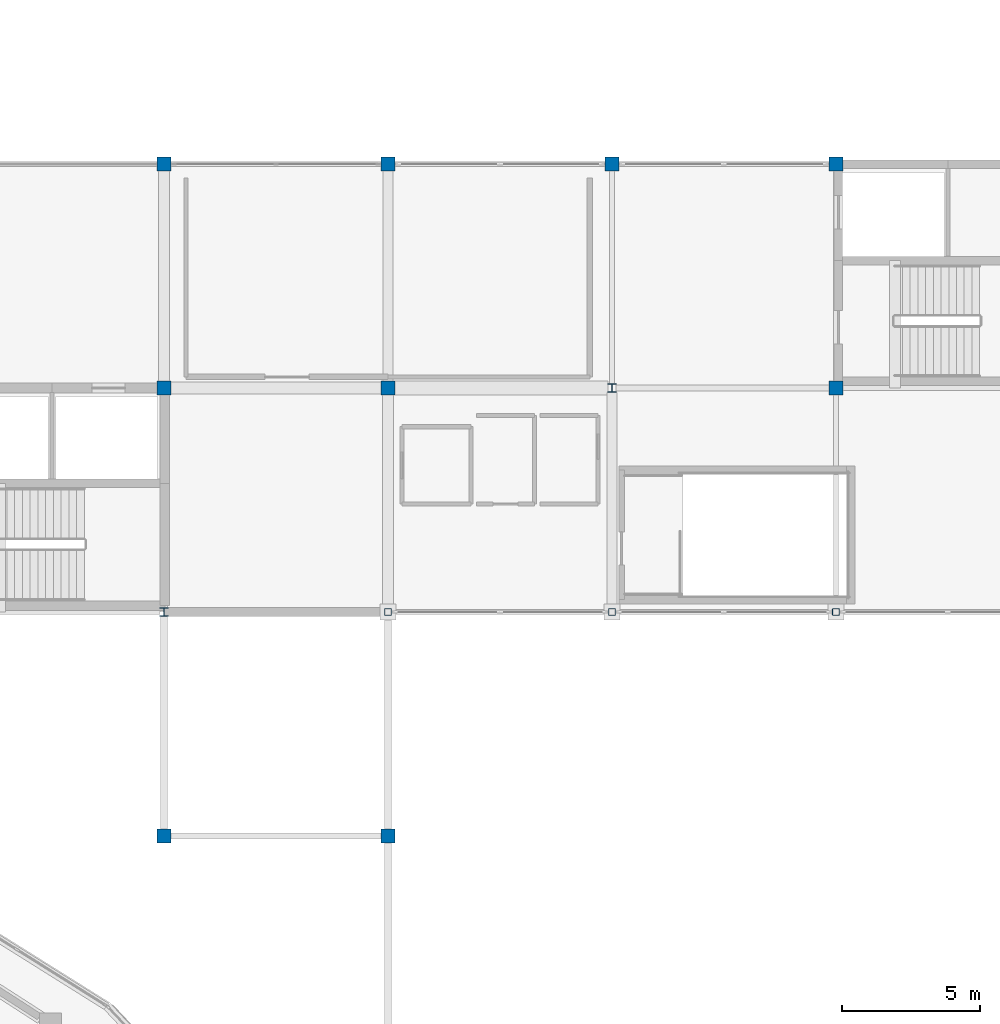
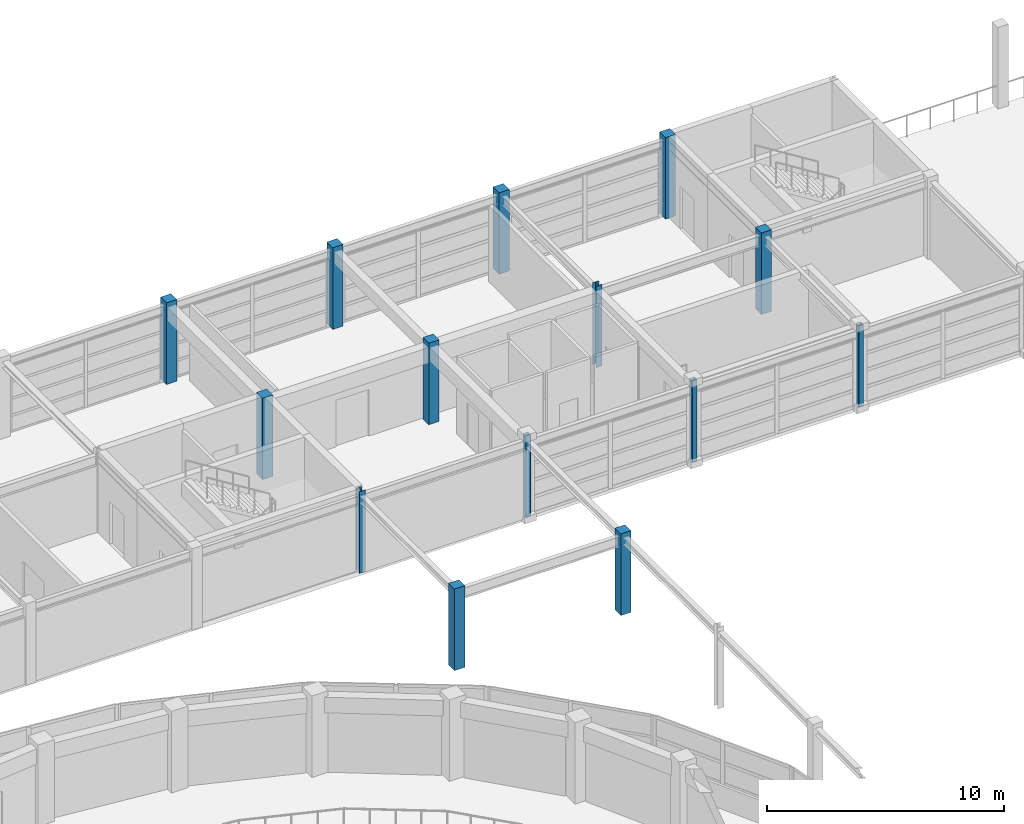
# One storey, part 6 of 54: 14 columns.
"""IFC4 building model written with IfcOpenShell, lengths in metres."""

import ifcopenshell
import ifcopenshell.guid

model = None  # the IFC model being written
_history = None  # IfcOwnerHistory: only IFC2X3 demands one
_inside = {}  # id of a spatial element -> (the spatial element, [elements in it])
_under = {}  # id of a project, library or spatial element -> (it, [spatial elements below it])
_declared = {}  # id of a project -> (the project, [libraries it declares])
_typed = {}  # id of a type object -> (the type object, [elements of that type])
_made_of = {}  # id of a material, layer set ... -> (it, [elements and type objects made of it])


def new_model(schema):
    """Start an empty IFC model of exactly this schema.

    Asked for "IFC4X3", IfcOpenShell would pick the latest addendum, in which some entities
    have other attributes; the version numbers below select the first issue.
    IFC2X3 requires an IfcOwnerHistory on every rooted entity: one is made here for all.
    """
    global model, _history
    if schema == "IFC4X3":
        model = ifcopenshell.file(schema_version=(4, 3, 0, 0))
    else:
        model = ifcopenshell.file(schema=schema)
    _inside.clear()
    _under.clear()
    _declared.clear()
    _typed.clear()
    _made_of.clear()
    _history = None
    if model.schema == "IFC2X3":
        org = make("IfcOrganization", Name="unknown")
        user = make(
            "IfcPersonAndOrganization",
            ThePerson=make("IfcPerson", FamilyName="unknown"),
            TheOrganization=org,
        )
        app = make(
            "IfcApplication",
            ApplicationDeveloper=org,
            Version="unknown",
            ApplicationFullName="unknown",
            ApplicationIdentifier="unknown",
        )
        _history = make(
            "IfcOwnerHistory",
            OwningUser=user,
            OwningApplication=app,
            ChangeAction="ADDED",
            CreationDate=0,
        )
    return model


def make(cls, **values):
    """One entity of the class cls with the attributes given. An attribute that is None is left unset."""
    return model.create_entity(
        cls, **{name: value for name, value in values.items() if value is not None}
    )


def rooted(cls, **values):
    """An entity with a GlobalId (a new one), such as an element, a storey or a relation."""
    return make(cls, GlobalId=ifcopenshell.guid.new(), OwnerHistory=_history, **values)


def si_unit(unit_type, name, prefix=None):
    """IfcSIUnit, for example si_unit("LENGTHUNIT", "METRE", prefix="MILLI")."""
    return make("IfcSIUnit", UnitType=unit_type, Prefix=prefix, Name=name)


def assignment(units):
    """IfcUnitAssignment: the units of a project."""
    return None if units is None else make("IfcUnitAssignment", Units=units)


def point(xyz):
    """IfcCartesianPoint."""
    return None if xyz is None else make("IfcCartesianPoint", Coordinates=xyz)


def direction(xyz):
    """IfcDirection."""
    return None if xyz is None else make("IfcDirection", DirectionRatios=xyz)


def frame(location, z_axis=None, x_axis=None):
    """IfcAxis2Placement3D, a coordinate frame: its origin and axes. An axis left out is left unset."""
    return make(
        "IfcAxis2Placement3D",
        Location=point(location),
        Axis=direction(z_axis),
        RefDirection=direction(x_axis),
    )


def frame_2d(location, x_axis=None):
    """IfcAxis2Placement2D, a coordinate frame in the plane: its origin and x axis."""
    return make(
        "IfcAxis2Placement2D", Location=point(location), RefDirection=direction(x_axis)
    )


def origin():
    """The frame at (0, 0, 0) with its axes left unset."""
    return frame((0.0, 0.0, 0.0))


def origin_2d():
    """The frame at (0, 0) in the plane with its x axis left unset."""
    return frame_2d((0.0, 0.0))


def place(relative_to, where):
    """IfcLocalPlacement: puts the frame where relative to a parent placement (None: the world)."""
    return make(
        "IfcLocalPlacement", PlacementRelTo=relative_to, RelativePlacement=where
    )


def context(
    kind, dimensions, precision=None, world=None, true_north=None, identifier=None
):
    """IfcGeometricRepresentationContext, for example the 3D "Model" context."""
    return make(
        "IfcGeometricRepresentationContext",
        ContextIdentifier=identifier,
        ContextType=kind,
        CoordinateSpaceDimension=dimensions,
        Precision=precision,
        WorldCoordinateSystem=world,
        TrueNorth=true_north,
    )


def subcontext(parent, identifier, kind, view, scale=None):
    """IfcGeometricRepresentationSubContext, for example "Body" below "Model"."""
    return make(
        "IfcGeometricRepresentationSubContext",
        ContextIdentifier=identifier,
        ContextType=kind,
        ParentContext=parent,
        TargetScale=scale,
        TargetView=view,
    )


def project(units=None, contexts=None):
    """IfcProject with its units and contexts."""
    return rooted(
        "IfcProject",
        Name="project",
        RepresentationContexts=contexts,
        UnitsInContext=assignment(units),
    )


def spatial(cls, under=None, at=None, **own):
    """A site, building, storey or space (cls), placed at a placement, below another one or the project."""
    s = rooted(cls, ObjectPlacement=at, **own)
    if under is not None:
        _under.setdefault(under.id(), (under, []))[1].append(s)
    return s


def profile(cls, at=None, kind="AREA", **sizes):
    """A parametric profile (cls). Its sizes go by their IFC names, for example OverallWidth=200.0."""
    return make(cls, ProfileType=kind, Position=at, **sizes)


def rectangle(**sizes):
    """IfcRectangleProfileDef."""
    return profile("IfcRectangleProfileDef", **sizes)


def hollow_rectangle(**sizes):
    """IfcRectangleHollowProfileDef."""
    return profile("IfcRectangleHollowProfileDef", **sizes)


def i_section(**sizes):
    """IfcIShapeProfileDef."""
    return profile("IfcIShapeProfileDef", **sizes)


def extrude(swept, where, along, depth):
    """IfcExtrudedAreaSolid: the profile swept, set in the frame where, extruded along a direction by depth."""
    return make(
        "IfcExtrudedAreaSolid",
        SweptArea=swept,
        Position=where,
        ExtrudedDirection=direction(along),
        Depth=depth,
    )


def shape(context_of_items, identifier, shape_type, items):
    """IfcShapeRepresentation: the items that make up one representation, for example the "Body"."""
    return make(
        "IfcShapeRepresentation",
        ContextOfItems=context_of_items,
        RepresentationIdentifier=identifier,
        RepresentationType=shape_type,
        Items=items,
    )


def material(Name=None, Category=None):
    """IfcMaterial."""
    return make("IfcMaterial", Name=Name, Category=Category)


def material_profile(
    of_material, cross_section, Name=None, Category=None, Priority=None
):
    """IfcMaterialProfile: a cross section and its material."""
    return make(
        "IfcMaterialProfile",
        Name=Name,
        Material=of_material,
        Profile=cross_section,
        Priority=Priority,
        Category=Category,
    )


def profile_set(profiles, Name=None, composite=None):
    """IfcMaterialProfileSet."""
    return make(
        "IfcMaterialProfileSet",
        Name=Name,
        MaterialProfiles=profiles,
        CompositeProfile=composite,
    )


def made_of(thing, what):
    """Note that an element or type object is made of a material, layer set ...; save() writes the relation."""
    if what is not None:
        _made_of.setdefault(what.id(), (what, []))[1].append(thing)
    return thing


def type_object(cls, material=None, **own):
    """A type object (cls), such as IfcWallType, which elements share."""
    return made_of(rooted(cls, **own), material)


def element(
    cls,
    number,
    at=None,
    inside=None,
    cuts=None,
    type_object=None,
    material=None,
    context=None,
    identifier="Body",
    shape_type=None,
    held_by="IfcProductDefinitionShape",
    body=None,
    shapes=None,
    **own,
):
    """One element of the class cls, such as IfcWall. Its Tag is "e" and its number.

    at: its placement. inside: the storey or other place that contains it. cuts: it is an
    opening in that element (IfcRelVoidsElement). A single representation is given by context,
    identifier, shape_type and body (its items); several are given by shapes. held_by: the class
    of the entity that holds the representations. save() writes the other relations.
    """
    e = rooted(cls, Tag="e%d" % number, ObjectPlacement=at, **own)
    if body is not None:
        shapes = [shape(context, identifier, shape_type, body)]
    if shapes is not None:
        e.Representation = make(held_by, Representations=shapes)
    if inside is not None:
        _inside.setdefault(inside.id(), (inside, []))[1].append(e)
    if cuts is not None:
        rooted(
            "IfcRelVoidsElement", RelatingBuildingElement=cuts, RelatedOpeningElement=e
        )
    if type_object is not None:
        _typed.setdefault(type_object.id(), (type_object, []))[1].append(e)
    return made_of(e, material)


def aggregate(whole, parts):
    """IfcRelAggregates: a whole, such as a stair, and the parts it consists of."""
    return rooted("IfcRelAggregates", RelatingObject=whole, RelatedObjects=parts)


def save(model, path):
    """Write the relations noted so far, then the file.

    IfcRelAggregates (storeys below a building ...), IfcRelContainedInSpatialStructure (elements
    in a storey), IfcRelDefinesByType, IfcRelAssociatesMaterial and IfcRelDeclares: one each for
    every whole, place, type object, material and project.
    """
    for whole, parts in _under.values():
        aggregate(whole, parts)
    for where, things in _inside.values():
        rooted(
            "IfcRelContainedInSpatialStructure",
            RelatedElements=things,
            RelatingStructure=where,
        )
    for kind, things in _typed.values():
        rooted("IfcRelDefinesByType", RelatedObjects=things, RelatingType=kind)
    for what, things in _made_of.values():
        rooted("IfcRelAssociatesMaterial", RelatedObjects=things, RelatingMaterial=what)
    for by, libraries in _declared.values():
        rooted("IfcRelDeclares", RelatingContext=by, RelatedDefinitions=libraries)
    model.write(path)


model = new_model("IFC4")

# Units and contexts
model_context = context("Model", 3, precision=1e-05, world=origin(), true_north=direction((0.0, 1.0)))
body_context = subcontext(model_context, "Body", "Model", "MODEL_VIEW")
ifc_project = project(units=[si_unit("LENGTHUNIT", "METRE"), si_unit("AREAUNIT", "SQUARE_METRE"), si_unit("VOLUMEUNIT", "CUBIC_METRE"), si_unit("PLANEANGLEUNIT", "RADIAN"), si_unit("MASSUNIT", "GRAM", prefix="KILO")], contexts=[model_context])

# Site, building, storey
site_placement = place(None, origin())
site = spatial("IfcSite", under=ifc_project, at=site_placement, CompositionType="ELEMENT")
building_placement = place(site_placement, origin())
building = spatial("IfcBuilding", under=site, at=building_placement, Name="Parian Resonance Hall", CompositionType="ELEMENT")
storey_placement = place(building_placement, frame((0.0, 0.0, 15.0)))
storey = spatial("IfcBuildingStorey", under=building, at=storey_placement, Name="L03", CompositionType="ELEMENT", Elevation=15.0)

# Columns
ifc_material_1 = material(Name="Concrete C40/50", Category="concrete")
ifc_material_profile_1 = material_profile(ifc_material_1, rectangle(XDim=0.5, YDim=0.5, at=origin_2d()), Name="RC-COL-500x500")
ifc_profile_set_1 = profile_set([ifc_material_profile_1], Name="Concrete C40/50")
column_type_1 = type_object("IfcColumnType", Name="COL-RC500", PredefinedType="COLUMN", material=ifc_profile_set_1)
for number, where, z_axis, x_axis, name in (
    (1, (64.800048828125, 64.800048828125, 0.0), (0.0, 0.0, 1.0), (1.0, 0.0, 0.0), "Column G09-09 L03"),
    (2, (64.800048828125, 81.0, 0.0), (0.0, 0.0, 1.0), (1.0, 0.0, 0.0), "Column G09-11 L03"),
    (3, (64.800048828125, 89.10009765625, 0.0), (0.0, 0.0, 1.0), (1.0, 0.0, 0.0), "Column G09-12 L03"),
    (4, (72.89990234375, 64.800048828125, 0.0), (0.0, 0.0, 1.0), (1.0, 0.0, 0.0), "Column G10-09 L03"),
    (5, (72.89990234375, 81.0, 0.0), (0.0, 0.0, 1.0), (1.0, 0.0, 0.0), "Column G10-11 L03"),
    (6, (72.89990234375, 89.10009765625, 0.0), (0.0, 0.0, 1.0), (1.0, 0.0, 0.0), "Column G10-12 L03"),
    (7, (81.0, 89.10009765625, 0.0), (0.0, 0.0, 1.0), (1.0, 0.0, 0.0), "Column G11-12 L03"),
    (8, (89.10009765625, 81.0, 0.0), (0.0, 0.0, 1.0), (1.0, 0.0, 0.0), "Column G12-11 L03"),
    (9, (89.10009765625, 89.10009765625, 0.0), (0.0, 0.0, 1.0), (1.0, 0.0, 0.0), "Column G12-12 L03"),
):
    element("IfcColumn", number, at=place(storey_placement, frame(where, z_axis=z_axis, x_axis=x_axis)), inside=storey, type_object=column_type_1, Name=name, PredefinedType="COLUMN", context=body_context, shape_type="SweptSolid", body=[
        extrude(rectangle(XDim=0.5, YDim=0.5, at=origin_2d()), origin(), (0.0, 0.0, 1.0), 4.199951171875),
    ])
ifc_material_2 = material(Name="Hollow structural steel S355", Category="steel")
ifc_material_profile_2 = material_profile(ifc_material_2, hollow_rectangle(XDim=0.25, YDim=0.25, WallThickness=0.012451171875, InnerFilletRadius=0.012451171875, OuterFilletRadius=0.02490234375, at=origin_2d()), Name="SHS250x250x12.5")
ifc_profile_set_2 = profile_set([ifc_material_profile_2], Name="Hollow structural steel S355")
column_type_2 = type_object("IfcColumnType", Name="COL-SHS250", PredefinedType="COLUMN", material=ifc_profile_set_2)
for number, where, z_axis, x_axis, name in (
    (10, (72.89990234375, 72.89990234375, 0.0), (0.0, 0.0, 1.0), (1.0, 0.0, 0.0), "Column G10-10 L03"),
    (11, (81.0, 72.89990234375, 0.0), (0.0, 0.0, 1.0), (1.0, 0.0, 0.0), "Column G11-10 L03"),
    (12, (89.10009765625, 72.89990234375, 0.0), (0.0, 0.0, 1.0), (1.0, 0.0, 0.0), "Column G12-10 L03"),
):
    element("IfcColumn", number, at=place(storey_placement, frame(where, z_axis=z_axis, x_axis=x_axis)), inside=storey, type_object=column_type_2, Name=name, PredefinedType="COLUMN", context=body_context, shape_type="SweptSolid", body=[
        extrude(hollow_rectangle(XDim=0.25, YDim=0.25, WallThickness=0.012451171875, InnerFilletRadius=0.012451171875, OuterFilletRadius=0.02490234375, at=origin_2d()), origin(), (0.0, 0.0, 1.0), 4.199951171875),
    ])
ifc_material_3 = material(Name="Steel S355", Category="steel")
ifc_material_profile_3 = material_profile(ifc_material_3, i_section(OverallWidth=0.304931640625, OverallDepth=0.30810546875, WebThickness=0.010009765625, FlangeThickness=0.015380859375, FilletRadius=0.01513671875, at=origin_2d()), Name="W310x97")
ifc_profile_set_3 = profile_set([ifc_material_profile_3], Name="Steel S355")
column_type_3 = type_object("IfcColumnType", Name="COL-W310", PredefinedType="COLUMN", material=ifc_profile_set_3)
for number, where, z_axis, x_axis, name in (
    (13, (64.800048828125, 72.89990234375, 0.0), (0.0, 0.0, 1.0), (1.0, 0.0, 0.0), "Column G09-10 L03"),
    (14, (81.0, 81.0, 0.0), (0.0, 0.0, 1.0), (1.0, 0.0, 0.0), "Column G11-11 L03"),
):
    element("IfcColumn", number, at=place(storey_placement, frame(where, z_axis=z_axis, x_axis=x_axis)), inside=storey, type_object=column_type_3, Name=name, PredefinedType="COLUMN", context=body_context, shape_type="SweptSolid", body=[
        extrude(i_section(OverallWidth=0.304931640625, OverallDepth=0.30810546875, WebThickness=0.010009765625, FlangeThickness=0.015380859375, FilletRadius=0.01513671875, at=origin_2d()), origin(), (0.0, 0.0, 1.0), 4.199951171875),
    ])

save(model, "model.ifc")
